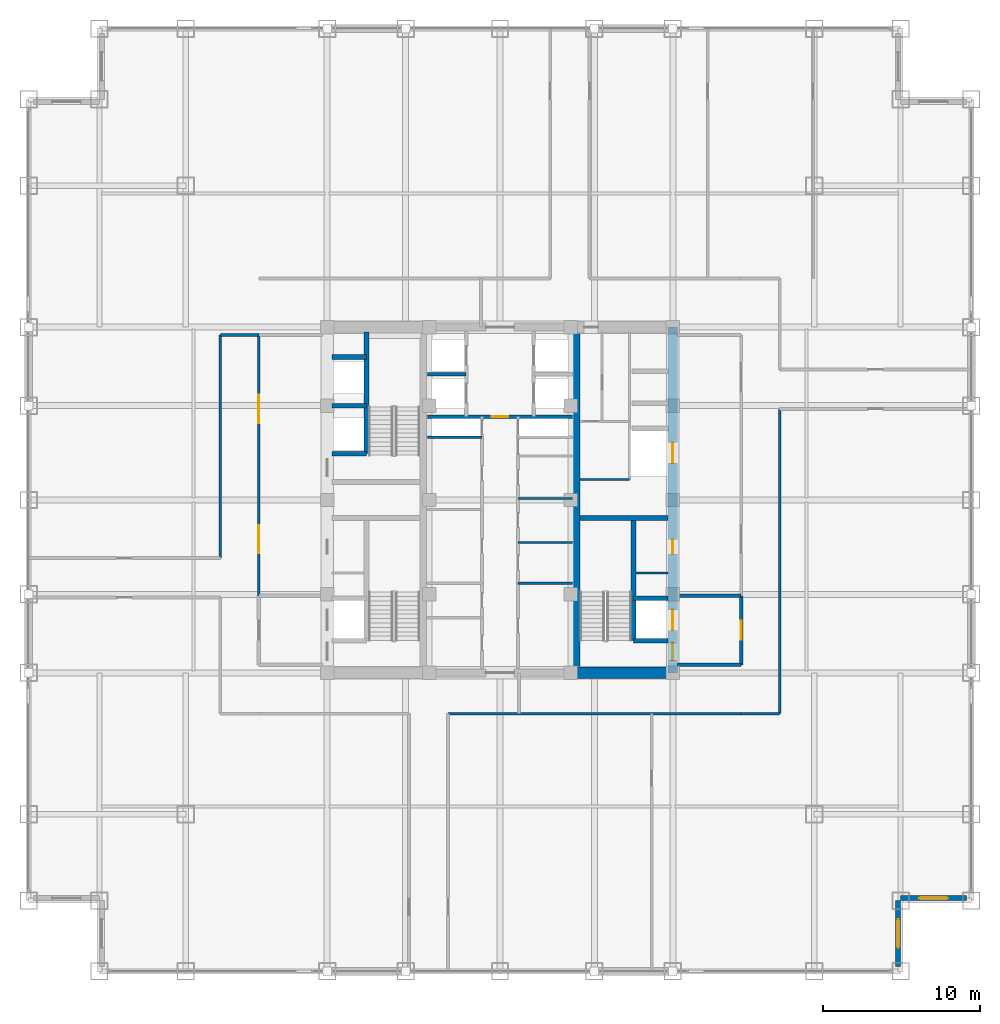
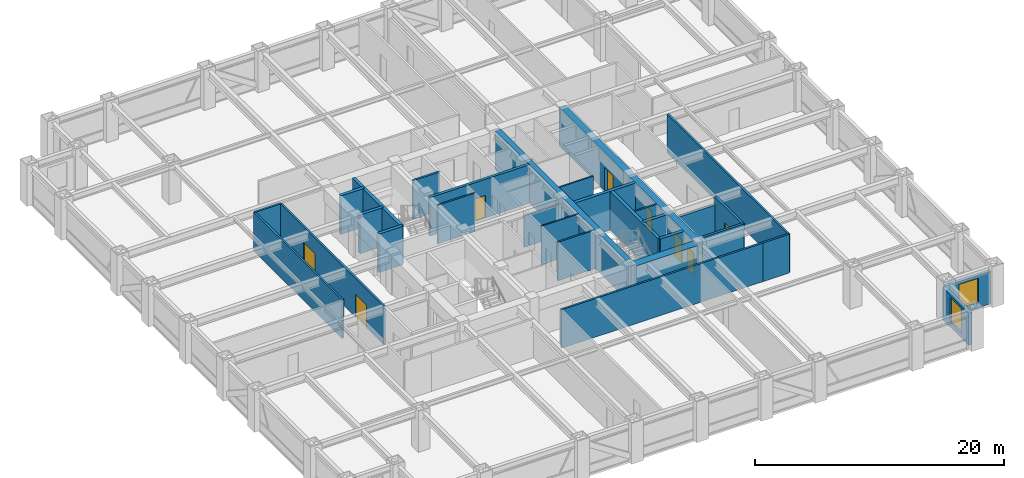
# One storey, part 21 of 24: 30 walls, 8 doors, 2 windows, 10 openings.
"""IFC4 building model written with IfcOpenShell, lengths in metres."""

from ifc_helpers import new_model, si_unit, direction, frame, frame_2d, origin, place, context, subcontext, project, spatial, rectangle, extrude, source, transform, mapped, material, layer, layer_set, type_object, element, fill, save


model = new_model("IFC4")

# Units and contexts
model_context = context("Model", 3, precision=1e-05, world=origin(), true_north=direction((0.0, 1.0)))
body_context = subcontext(model_context, "Body", "Model", "MODEL_VIEW")
ifc_project = project(units=[si_unit("LENGTHUNIT", "METRE"), si_unit("AREAUNIT", "SQUARE_METRE"), si_unit("VOLUMEUNIT", "CUBIC_METRE"), si_unit("PLANEANGLEUNIT", "RADIAN"), si_unit("MASSUNIT", "GRAM", prefix="KILO")], contexts=[model_context])

# Site, building, storey
site_placement = place(None, origin())
site = spatial("IfcSite", under=ifc_project, at=site_placement, CompositionType="ELEMENT")
building_placement = place(site_placement, origin())
building = spatial("IfcBuilding", under=site, at=building_placement, Name="Khorayat Bourse Tower", CompositionType="ELEMENT")
storey_placement = place(building_placement, frame((0.0, 0.0, 163.10009765625)))
storey = spatial("IfcBuildingStorey", under=building, at=storey_placement, Name="L37", CompositionType="ELEMENT", Elevation=163.10009765625)

# Wall, openings, doors
ifc_material_1 = material(Name="Concrete C60/75", Category="concrete")
ifc_layer_1 = layer(ifc_material_1, 0.60009765625)
ifc_layer_set_1 = layer_set([ifc_layer_1], Name="Concrete C60/75")
wall_type_1 = type_object("IfcWallType", Name="WAL-CORE-600", PredefinedType="SHEAR", material=ifc_layer_set_1)
shared_shape_1 = source(origin(), body_context, "Body", "SweptSolid", [
    extrude(rectangle(XDim=22.0, YDim=0.60009765625, at=frame_2d((11.0, 0.0))), origin(), (0.0, 0.0, 1.0), 3.77978515625),
])
wall_1_placement = place(storey_placement, frame((11.0, -11.0, 0.0), z_axis=(0.0, 0.0, 1.0), x_axis=(0.0, 1.0, 0.0)))
wall_1 = element("IfcWall", 1, at=wall_1_placement, inside=storey, type_object=wall_type_1, Name="L37 Core Shear Wall CORE-E", PredefinedType="SHEAR", context=body_context, shape_type="MappedRepresentation", body=[
    mapped(shared_shape_1, transform((0.0, 0.0, 0.0), scale=1.0)),
])
shared_shape_2 = source(origin(), body_context, "Body", "SweptSolid", [
    extrude(rectangle(XDim=1.10009765625, YDim=2.199951171875, at=frame_2d((0.550048828125, 1.10009765625))), frame((0.0, 0.31005859375, 0.0), z_axis=(0.0, -1.0, 0.0), x_axis=(1.0, 0.0, 0.0)), (0.0, 0.0, 1.0), 0.6201171875),
])
opening_1_placement = place(wall_1_placement, frame((0.800048828125, 0.0, 0.0)))
opening_1 = element("IfcOpeningElement", 2, at=opening_1_placement, cuts=wall_1, Name="Opening DI-01", PredefinedType="OPENING", context=body_context, shape_type="MappedRepresentation", body=[
    mapped(shared_shape_2, transform((0.0, 0.0, 0.0), scale=1.0)),
])
shared_shape_3 = source(origin(), body_context, "Body", "SweptSolid", [
    extrude(rectangle(XDim=0.89990234375, YDim=2.14990234375, at=frame_2d((0.449951171875, 1.074951171875))), frame((0.0, 0.31005859375, 0.0), z_axis=(0.0, -1.0, 0.0), x_axis=(1.0, 0.0, 0.0)), (0.0, 0.0, 1.0), 0.6201171875),
])
opening_2_placement = place(wall_1_placement, frame((7.574951171875, 0.0, 0.0)))
opening_2 = element("IfcOpeningElement", 3, at=opening_2_placement, cuts=wall_1, Name="Opening DI-06", PredefinedType="OPENING", context=body_context, shape_type="MappedRepresentation", body=[
    mapped(shared_shape_3, transform((0.0, 0.0, 0.0), scale=1.0)),
])
shared_shape_4 = source(origin(), body_context, "Body", "SweptSolid", [
    extrude(rectangle(XDim=1.300048828125, YDim=2.300048828125, at=frame_2d((0.64990234375, 1.14990234375))), frame((0.0, 0.31005859375, 0.0), z_axis=(0.0, -1.0, 0.0), x_axis=(1.0, 0.0, 0.0)), (0.0, 0.0, 1.0), 0.6201171875),
])
opening_3_placement = place(wall_1_placement, frame((2.699951171875, 0.0, 0.0)))
opening_3 = element("IfcOpeningElement", 4, at=opening_3_placement, cuts=wall_1, Name="Opening LD-02", PredefinedType="OPENING", context=body_context, shape_type="MappedRepresentation", body=[
    mapped(shared_shape_4, transform((0.0, 0.0, 0.0), scale=1.0)),
])
opening_4_placement = place(wall_1_placement, frame((13.35009765625, 0.0, 0.0)))
opening_4 = element("IfcOpeningElement", 5, at=opening_4_placement, cuts=wall_1, Name="Opening LD-02", PredefinedType="OPENING", context=body_context, shape_type="MappedRepresentation", body=[
    mapped(shared_shape_4, transform((0.0, 0.0, 0.0), scale=1.0)),
])
ifc_material_2 = material(Name="Fire-rated steel acoustic leaf", Category="steel")
door_type_1 = type_object("IfcDoorType", Name="DR-INT-STAIR-1100", OperationType="NOTDEFINED", PredefinedType="DOOR", material=ifc_material_2)
shared_shape_5 = source(origin(), body_context, "Body", "SweptSolid", [
    extrude(rectangle(XDim=1.10009765625, YDim=2.199951171875, at=frame_2d((0.550048828125, 1.10009765625))), frame((0.0, 0.02490234375, 0.0), z_axis=(0.0, -1.0, 0.0), x_axis=(1.0, 0.0, 0.0)), (0.0, 0.0, 1.0), 0.050048828125),
])
door_1_placement = place(opening_1_placement, origin())
door_1 = element("IfcDoor", 6, at=door_1_placement, inside=storey, type_object=door_type_1, Name="L37 Exit Stair 3 Door", OperationType="SINGLE_SWING_LEFT", OverallHeight=2.199951171875, OverallWidth=1.10009765625, PredefinedType="DOOR", context=body_context, shape_type="MappedRepresentation", body=[
    mapped(shared_shape_5, transform((0.0, 0.0, 0.0), scale=1.0)),
])
fill(opening_1, door_1)
ifc_material_3 = material(Name="Moisture-resistant laminate washroom door")
door_type_2 = type_object("IfcDoorType", Name="DR-INT-WC-900", OperationType="NOTDEFINED", PredefinedType="DOOR", material=ifc_material_3)
shared_shape_6 = source(origin(), body_context, "Body", "SweptSolid", [
    extrude(rectangle(XDim=0.89990234375, YDim=2.14990234375, at=frame_2d((0.449951171875, 1.074951171875))), frame((0.0, 0.02490234375, 0.0), z_axis=(0.0, -1.0, 0.0), x_axis=(1.0, 0.0, 0.0)), (0.0, 0.0, 1.0), 0.050048828125),
])
door_2_placement = place(opening_2_placement, origin())
door_2 = element("IfcDoor", 7, at=door_2_placement, inside=storey, type_object=door_type_2, Name="L37 Fiber Server Plant Room Door", OperationType="SINGLE_SWING_LEFT", OverallHeight=2.14990234375, OverallWidth=0.89990234375, PredefinedType="DOOR", context=body_context, shape_type="MappedRepresentation", body=[
    mapped(shared_shape_6, transform((0.0, 0.0, 0.0), scale=1.0)),
])
fill(opening_2, door_2)
ifc_material_4 = material(Name="Fire-rated stainless-steel sliding landing door", Category="steel")
door_type_3 = type_object("IfcDoorType", Name="DR-LIFT-FF-1300", OperationType="NOTDEFINED", PredefinedType="DOOR", material=ifc_material_4)
shared_shape_7 = source(origin(), body_context, "Body", "SweptSolid", [
    extrude(rectangle(XDim=1.300048828125, YDim=2.300048828125, at=frame_2d((0.64990234375, 1.14990234375))), frame((0.0, 0.02490234375, 0.0), z_axis=(0.0, -1.0, 0.0), x_axis=(1.0, 0.0, 0.0)), (0.0, 0.0, 1.0), 0.050048828125),
])
door_3_placement = place(opening_3_placement, origin())
door_3 = element("IfcDoor", 8, at=door_3_placement, inside=storey, type_object=door_type_3, Name="L37 Lift FFL-02 Sliding Landing Door", OperationType="SLIDING_TO_LEFT", OverallHeight=2.300048828125, OverallWidth=1.300048828125, PredefinedType="DOOR", context=body_context, shape_type="MappedRepresentation", body=[
    mapped(shared_shape_7, transform((0.0, 0.0, 0.0), scale=1.0)),
])
fill(opening_3, door_3)
door_4_placement = place(opening_4_placement, origin())
door_4 = element("IfcDoor", 9, at=door_4_placement, inside=storey, type_object=door_type_3, Name="L37 Lift SVL-01 Sliding Landing Door", OperationType="SLIDING_TO_LEFT", OverallHeight=2.300048828125, OverallWidth=1.300048828125, PredefinedType="DOOR", context=body_context, shape_type="MappedRepresentation", body=[
    mapped(shared_shape_7, transform((0.0, 0.0, 0.0), scale=1.0)),
])
fill(opening_4, door_4)

# Walls
ifc_material_5 = material(Name="Concrete C52/65", Category="concrete")
ifc_layer_2 = layer(ifc_material_5, 0.5)
ifc_layer_set_2 = layer_set([ifc_layer_2], Name="Concrete C52/65")
wall_type_2 = type_object("IfcWallType", Name="WAL-CORE-500", PredefinedType="SHEAR", material=ifc_layer_set_2)
shared_shape_8 = source(origin(), body_context, "Body", "SweptSolid", [
    extrude(rectangle(XDim=21.39990234375, YDim=0.5, at=frame_2d((10.699951171875, 0.0))), origin(), (0.0, 0.0, 1.0), 3.77978515625),
])
wall_2_placement = place(storey_placement, frame((4.85009765625, -10.699951171875, 0.0), z_axis=(0.0, 0.0, 1.0), x_axis=(0.0, 1.0, 0.0)))
element("IfcWall", 10, at=wall_2_placement, inside=storey, type_object=wall_type_2, Name="L37 Core Shear Wall PIER-E", PredefinedType="SHEAR", context=body_context, shape_type="MappedRepresentation", body=[
    mapped(shared_shape_8, transform((0.0, 0.0, 0.0), scale=1.0)),
])
ifc_material_6 = material(Name="Concrete C72/90", Category="concrete")
ifc_layer_3 = layer(ifc_material_6, 0.75)
ifc_layer_set_3 = layer_set([ifc_layer_3], Name="Concrete C72/90")
wall_type_3 = type_object("IfcWallType", Name="WAL-CORE-750", PredefinedType="SHEAR", material=ifc_layer_set_3)
shared_shape_9 = source(origin(), body_context, "Body", "SweptSolid", [
    extrude(rectangle(XDim=5.849853515625, YDim=0.75, at=frame_2d((2.9248046875, 0.0))), origin(), (0.0, 0.0, 1.0), 3.77978515625),
])
wall_3_placement = place(storey_placement, frame((4.85009765625, -11.0, 0.0), z_axis=(0.0, 0.0, 1.0), x_axis=(1.0, 0.0, 0.0)))
element("IfcWall", 11, at=wall_3_placement, inside=storey, type_object=wall_type_3, Name="L37 Core Shear Wall PIER-ES", PredefinedType="SHEAR", context=body_context, shape_type="MappedRepresentation", body=[
    mapped(shared_shape_9, transform((0.0, 0.0, 0.0), scale=1.0)),
])
ifc_material_7 = material(Name="Concrete C50/60", Category="concrete")
ifc_layer_4 = layer(ifc_material_7, 0.300048828125)
ifc_layer_set_4 = layer_set([ifc_layer_4], Name="Concrete C50/60")
wall_type_4 = type_object("IfcWallType", Name="WAL-SHAFT-300", PredefinedType="SHEAR", material=ifc_layer_set_4)
shared_shape_10 = source(origin(), body_context, "Body", "SweptSolid", [
    extrude(rectangle(XDim=5.599853515625, YDim=0.300048828125, at=frame_2d((2.7998046875, 0.0))), origin(), (0.0, 0.0, 1.0), 3.77978515625),
])
wall_4_placement = place(storey_placement, frame((5.10009765625, -1.14990234375, 0.0), z_axis=(0.0, 0.0, 1.0), x_axis=(1.0, 0.0, 0.0)))
element("IfcWall", 12, at=wall_4_placement, inside=storey, type_object=wall_type_4, Name="L37 Core Shear Wall ST3-DIV", PredefinedType="SHEAR", context=body_context, shape_type="MappedRepresentation", body=[
    mapped(shared_shape_10, transform((0.0, 0.0, 0.0), scale=1.0)),
])

# Wall, opening, window
ifc_material_8 = material(Name="Precast concrete C45/55", Category="concrete")
ifc_layer_5 = layer(ifc_material_8, 0.320068359375)
ifc_layer_set_5 = layer_set([ifc_layer_5], Name="Precast concrete C45/55")
wall_type_5 = type_object("IfcWallType", Name="WAL-EXT-STONE-320", PredefinedType="STANDARD", material=ifc_layer_set_5)
shared_shape_11 = source(origin(), body_context, "Body", "SweptSolid", [
    extrude(rectangle(XDim=4.179931640625, YDim=0.320068359375, at=frame_2d((2.08984375, 0.0))), origin(), (0.0, 0.0, 1.0), 3.163818359375),
])
wall_5_placement = place(storey_placement, frame((25.340087890625, -29.679931640625, 0.0), z_axis=(0.0, 0.0, 1.0), x_axis=(0.0, 1.0, 0.0)))
wall_5 = element("IfcWall", 13, at=wall_5_placement, inside=storey, type_object=wall_type_5, Name="L37 Re-Entrant Notch Limestone Wall SE-V", PredefinedType="STANDARD", context=body_context, shape_type="MappedRepresentation", body=[
    mapped(shared_shape_11, transform((0.0, 0.0, 0.0), scale=1.0)),
])
shared_shape_12 = source(origin(), body_context, "Body", "SweptSolid", [
    extrude(rectangle(XDim=1.800048828125, YDim=2.39990234375, at=frame_2d((0.89990234375, 1.199951171875))), frame((0.0, 0.169921875, 0.0), z_axis=(0.0, -1.0, 0.0), x_axis=(1.0, 0.0, 0.0)), (0.0, 0.0, 1.0), 0.340087890625),
])
opening_5_placement = place(wall_5_placement, frame((1.18994140625, 0.0, 0.5)))
opening_5 = element("IfcOpeningElement", 14, at=opening_5_placement, cuts=wall_5, Name="Opening WN-04", PredefinedType="OPENING", context=body_context, shape_type="MappedRepresentation", body=[
    mapped(shared_shape_12, transform((0.0, 0.0, 0.0), scale=1.0)),
])
ifc_material_9 = material(Name="Low-E acoustic laminated double glazing", Category="glass")
window_type = type_object("IfcWindowType", Name="WIN-NOTCH-1800x2400", PartitioningType="SINGLE_PANEL", PredefinedType="WINDOW", material=ifc_material_9)
shared_shape_13 = source(origin(), body_context, "Body", "SweptSolid", [
    extrude(rectangle(XDim=1.800048828125, YDim=2.39990234375, at=frame_2d((0.89990234375, 1.199951171875))), frame((0.0, 0.030029296875, 0.0), z_axis=(0.0, -1.0, 0.0), x_axis=(1.0, 0.0, 0.0)), (0.0, 0.0, 1.0), 0.06005859375),
])
window_1_placement = place(opening_5_placement, origin())
window_1 = element("IfcWindow", 15, at=window_1_placement, inside=storey, type_object=window_type, Name="L37 Facade Window 1", OverallHeight=2.39990234375, OverallWidth=1.800048828125, PartitioningType="SINGLE_PANEL", PredefinedType="WINDOW", context=body_context, shape_type="MappedRepresentation", body=[
    mapped(shared_shape_13, transform((0.0, 0.0, 0.0), scale=1.0)),
])
fill(opening_5, window_1)

wall_6_placement = place(storey_placement, frame((25.5, -25.340087890625, 0.0), z_axis=(0.0, 0.0, 1.0), x_axis=(1.0, 0.0, 0.0)))
wall_6 = element("IfcWall", 16, at=wall_6_placement, inside=storey, type_object=wall_type_5, Name="L37 Re-Entrant Notch Limestone Wall SE-H", PredefinedType="STANDARD", context=body_context, shape_type="MappedRepresentation", body=[
    mapped(shared_shape_11, transform((0.0, 0.0, 0.0), scale=1.0)),
])
opening_6_placement = place(wall_6_placement, frame((1.18994140625, 0.0, 0.5)))
opening_6 = element("IfcOpeningElement", 17, at=opening_6_placement, cuts=wall_6, Name="Opening WN-04", PredefinedType="OPENING", context=body_context, shape_type="MappedRepresentation", body=[
    mapped(shared_shape_12, transform((0.0, 0.0, 0.0), scale=1.0)),
])
window_2_placement = place(opening_6_placement, origin())
window_2 = element("IfcWindow", 18, at=window_2_placement, inside=storey, type_object=window_type, Name="L37 Facade Window 1", OverallHeight=2.39990234375, OverallWidth=1.800048828125, PartitioningType="SINGLE_PANEL", PredefinedType="WINDOW", context=body_context, shape_type="MappedRepresentation", body=[
    mapped(shared_shape_13, transform((0.0, 0.0, 0.0), scale=1.0)),
])
fill(opening_6, window_2)

# Walls
shared_shape_14 = source(origin(), body_context, "Body", "SweptSolid", [
    extrude(rectangle(XDim=7.800048828125, YDim=0.300048828125, at=frame_2d((3.89990234375, 0.0))), origin(), (0.0, 0.0, 1.0), 3.77978515625),
])
wall_7_placement = place(storey_placement, frame((8.5, -8.949951171875, 0.0), z_axis=(0.0, 0.0, 1.0), x_axis=(0.0, 1.0, 0.0)))
element("IfcWall", 19, at=wall_7_placement, inside=storey, type_object=wall_type_4, Name="L37 Partition WAL-L37-EPIER-SP", PredefinedType="SHEAR", context=body_context, shape_type="MappedRepresentation", body=[
    mapped(shared_shape_14, transform((0.0, 0.0, 0.0), scale=1.0)),
])
shared_shape_15 = source(origin(), body_context, "Body", "SweptSolid", [
    extrude(rectangle(XDim=2.199951171875, YDim=0.300048828125, at=frame_2d((1.10009765625, 0.0))), origin(), (0.0, 0.0, 1.0), 3.77978515625),
])
for number, where, z_axis, x_axis, name in (
    (20, (-10.699951171875, 2.949951171875, 0.0), (0.0, 0.0, 1.0), (1.0, 0.0, 0.0), "L37 Partition WAL-L37-WPIER-H1S"),
    (21, (-10.699951171875, 6.0, 0.0), (0.0, 0.0, 1.0), (1.0, 0.0, 0.0), "L37 Partition WAL-L37-WPIER-H12"),
    (22, (-10.699951171875, 9.10009765625, 0.0), (0.0, 0.0, 1.0), (1.0, 0.0, 0.0), "L37 Partition WAL-L37-WPIER-H2N"),
    (23, (8.5, -8.949951171875, 0.0), (0.0, 0.0, 1.0), (1.0, 0.0, 0.0), "L37 Partition WAL-L37-EPIER-FF2S"),
    (24, (8.5, -6.25, 0.0), (0.0, 0.0, 1.0), (1.0, 0.0, 0.0), "L37 Partition WAL-L37-EPIER-FF2N"),
):
    element("IfcWall", number, at=place(storey_placement, frame(where, z_axis=z_axis, x_axis=x_axis)), inside=storey, type_object=wall_type_4, Name=name, PredefinedType="SHEAR", context=body_context, shape_type="MappedRepresentation", body=[
        mapped(shared_shape_15, transform((0.0, 0.0, 0.0), scale=1.0)),
    ])
shared_shape_16 = source(origin(), body_context, "Body", "SweptSolid", [
    extrude(rectangle(XDim=7.75, YDim=0.300048828125, at=frame_2d((3.875, 0.0))), origin(), (0.0, 0.0, 1.0), 3.77978515625),
])
wall_8_placement = place(storey_placement, frame((-8.5, 2.949951171875, 0.0), z_axis=(0.0, 0.0, 1.0), x_axis=(0.0, 1.0, 0.0)))
element("IfcWall", 25, at=wall_8_placement, inside=storey, type_object=wall_type_4, Name="L37 Partition WAL-L37-WPIER-ST2S", PredefinedType="SHEAR", context=body_context, shape_type="MappedRepresentation", body=[
    mapped(shared_shape_16, transform((0.0, 0.0, 0.0), scale=1.0)),
])
ifc_material_10 = material(Name="Gypsum plasterboard twin-frame partition")
ifc_layer_6 = layer(ifc_material_10, 0.14990234375)
ifc_layer_set_6 = layer_set([ifc_layer_6], Name="Gypsum plasterboard twin-frame partition")
wall_type_6 = type_object("IfcWallType", Name="WAL-PART-SUITE-150", PredefinedType="PARTITIONING", material=ifc_layer_set_6)
shared_shape_17 = source(origin(), body_context, "Body", "SweptSolid", [
    extrude(rectangle(XDim=2.050048828125, YDim=0.14990234375, at=frame_2d((1.02490234375, 0.0))), origin(), (0.0, 0.0, 1.0), 3.77978515625),
])
wall_9_placement = place(storey_placement, frame((8.64990234375, -4.64990234375, 0.0), z_axis=(0.0, 0.0, 1.0), x_axis=(1.0, 0.0, 0.0)))
element("IfcWall", 26, at=wall_9_placement, inside=storey, type_object=wall_type_6, Name="L37 Partition WAL-L37-ESRV-S0", PredefinedType="PARTITIONING", context=body_context, shape_type="MappedRepresentation", body=[
    mapped(shared_shape_17, transform((0.0, 0.0, 0.0), scale=1.0)),
])
ifc_material_11 = material(Name="Moisture-resistant masonry partition", Category="masonry")
ifc_layer_7 = layer(ifc_material_11, 0.139892578125)
ifc_layer_set_7 = layer_set([ifc_layer_7], Name="Moisture-resistant masonry partition")
wall_type_7 = type_object("IfcWallType", Name="WAL-PART-WET-140", PredefinedType="PARTITIONING", material=ifc_layer_set_7)
shared_shape_18 = source(origin(), body_context, "Body", "SweptSolid", [
    extrude(rectangle(XDim=3.14990234375, YDim=0.139892578125, at=frame_2d((1.574951171875, 0.0))), origin(), (0.0, 0.0, 1.0), 3.77978515625),
])
wall_10_placement = place(storey_placement, frame((5.10009765625, 1.300048828125, 0.0), z_axis=(0.0, 0.0, 1.0), x_axis=(1.0, 0.0, 0.0)))
element("IfcWall", 27, at=wall_10_placement, inside=storey, type_object=wall_type_7, Name="L37 Partition WAL-L37-ECORE-S", PredefinedType="PARTITIONING", context=body_context, shape_type="MappedRepresentation", body=[
    mapped(shared_shape_18, transform((0.0, 0.0, 0.0), scale=1.0)),
])
ifc_material_12 = material(Name="Aerated concrete blockwork", Category="masonry")
ifc_layer_8 = layer(ifc_material_12, 0.219970703125)
ifc_layer_set_8 = layer_set([ifc_layer_8], Name="Aerated concrete blockwork")
wall_type_8 = type_object("IfcWallType", Name="WAL-PART-FF-220", PredefinedType="PARTITIONING", material=ifc_layer_set_8)
shared_shape_19 = source(origin(), body_context, "Body", "SweptSolid", [
    extrude(rectangle(XDim=4.050048828125, YDim=0.219970703125, at=frame_2d((2.02490234375, 0.0))), origin(), (0.0, 0.0, 1.0), 3.77978515625),
])
wall_11_placement = place(storey_placement, frame((11.300048828125, -10.5, 0.0), z_axis=(0.0, 0.0, 1.0), x_axis=(1.0, 0.0, 0.0)))
element("IfcWall", 28, at=wall_11_placement, inside=storey, type_object=wall_type_8, Name="L37 Partition WAL-L37-FFLE-S", PredefinedType="PARTITIONING", context=body_context, shape_type="MappedRepresentation", body=[
    mapped(shared_shape_19, transform((0.0, 0.0, 0.0), scale=1.0)),
])
shared_shape_20 = source(origin(), body_context, "Body", "SweptSolid", [
    extrude(rectangle(XDim=4.050048828125, YDim=0.219970703125, at=frame_2d((2.02490234375, 0.0))), origin(), (0.0, 0.0, 1.0), 3.0068359375),
])
wall_12_placement = place(storey_placement, frame((11.300048828125, -6.10009765625, 0.0), z_axis=(0.0, 0.0, 1.0), x_axis=(1.0, 0.0, 0.0)))
element("IfcWall", 29, at=wall_12_placement, inside=storey, type_object=wall_type_8, Name="L37 Partition WAL-L37-FFLE-N", PredefinedType="PARTITIONING", context=body_context, shape_type="MappedRepresentation", body=[
    mapped(shared_shape_20, transform((0.0, 0.0, 0.0), scale=1.0)),
])

# Wall, opening, door
shared_shape_21 = source(origin(), body_context, "Body", "SweptSolid", [
    extrude(rectangle(XDim=4.39990234375, YDim=0.219970703125, at=frame_2d((2.199951171875, 0.0))), origin(), (0.0, 0.0, 1.0), 3.77978515625),
])
wall_13_placement = place(storey_placement, frame((15.35009765625, -10.5, 0.0), z_axis=(0.0, 0.0, 1.0), x_axis=(0.0, 1.0, 0.0)))
wall_13 = element("IfcWall", 30, at=wall_13_placement, inside=storey, type_object=wall_type_8, Name="L37 Partition WAL-L37-FFLE-E", PredefinedType="PARTITIONING", context=body_context, shape_type="MappedRepresentation", body=[
    mapped(shared_shape_21, transform((0.0, 0.0, 0.0), scale=1.0)),
])
shared_shape_22 = source(origin(), body_context, "Body", "SweptSolid", [
    extrude(rectangle(XDim=1.199951171875, YDim=2.199951171875, at=frame_2d((0.60009765625, 1.10009765625))), frame((0.0, 0.119873046875, 0.0), z_axis=(0.0, -1.0, 0.0), x_axis=(1.0, 0.0, 0.0)), (0.0, 0.0, 1.0), 0.239990234375),
])
opening_7_placement = place(wall_13_placement, frame((1.60009765625, 0.0, 0.0)))
opening_7 = element("IfcOpeningElement", 31, at=opening_7_placement, cuts=wall_13, Name="Opening DI-02", PredefinedType="OPENING", context=body_context, shape_type="MappedRepresentation", body=[
    mapped(shared_shape_22, transform((0.0, 0.0, 0.0), scale=1.0)),
])
ifc_material_13 = material(Name="Fire-rated steel double-seal leaf", Category="steel")
door_type_4 = type_object("IfcDoorType", Name="DR-INT-FFLOBBY-1200", OperationType="NOTDEFINED", PredefinedType="DOOR", material=ifc_material_13)
shared_shape_23 = source(origin(), body_context, "Body", "SweptSolid", [
    extrude(rectangle(XDim=1.199951171875, YDim=2.199951171875, at=frame_2d((0.60009765625, 1.10009765625))), frame((0.0, 0.02490234375, 0.0), z_axis=(0.0, -1.0, 0.0), x_axis=(1.0, 0.0, 0.0)), (0.0, 0.0, 1.0), 0.050048828125),
])
door_5_placement = place(opening_7_placement, origin())
door_5 = element("IfcDoor", 32, at=door_5_placement, inside=storey, type_object=door_type_4, Name="L37 East Firefighting Lobby Door", OperationType="SINGLE_SWING_RIGHT", OverallHeight=2.199951171875, OverallWidth=1.199951171875, PredefinedType="DOOR", context=body_context, shape_type="MappedRepresentation", body=[
    mapped(shared_shape_23, transform((0.0, 0.0, 0.0), scale=1.0)),
])
fill(opening_7, door_5)

# Wall, openings, doors
ifc_material_14 = material(Name="Gypsum plasterboard acoustic stud wall")
ifc_layer_9 = layer(ifc_material_14, 0.179931640625)
ifc_layer_set_9 = layer_set([ifc_layer_9], Name="Gypsum plasterboard acoustic stud wall")
wall_type_9 = type_object("IfcWallType", Name="WAL-PART-CORR-180", PredefinedType="PARTITIONING", material=ifc_layer_set_9)
shared_shape_24 = source(origin(), body_context, "Body", "SweptSolid", [
    extrude(rectangle(XDim=16.60009765625, YDim=0.179931640625, at=frame_2d((8.300048828125, 0.0))), origin(), (0.0, 0.0, 1.0), 3.77978515625),
])
wall_14_placement = place(storey_placement, frame((-15.35009765625, -6.10009765625, 0.0), z_axis=(0.0, 0.0, 1.0), x_axis=(0.0, 1.0, 0.0)))
wall_14 = element("IfcWall", 33, at=wall_14_placement, inside=storey, type_object=wall_type_9, Name="L37 Partition WAL-L37-WLOB-W", PredefinedType="PARTITIONING", context=body_context, shape_type="MappedRepresentation", body=[
    mapped(shared_shape_24, transform((0.0, 0.0, 0.0), scale=1.0)),
])
shared_shape_25 = source(origin(), body_context, "Body", "SweptSolid", [
    extrude(rectangle(XDim=1.800048828125, YDim=2.25, at=frame_2d((0.89990234375, 1.125))), frame((0.0, 0.099853515625, 0.0), z_axis=(0.0, -1.0, 0.0), x_axis=(1.0, 0.0, 0.0)), (0.0, 0.0, 1.0), 0.199951171875),
])
opening_8_placement = place(wall_14_placement, frame((2.699951171875, 0.0, 0.0)))
opening_8 = element("IfcOpeningElement", 34, at=opening_8_placement, cuts=wall_14, Name="Opening DI-03", PredefinedType="OPENING", context=body_context, shape_type="MappedRepresentation", body=[
    mapped(shared_shape_25, transform((0.0, 0.0, 0.0), scale=1.0)),
])
opening_9_placement = place(wall_14_placement, frame((11.0, 0.0, 0.0)))
opening_9 = element("IfcOpeningElement", 35, at=opening_9_placement, cuts=wall_14, Name="Opening DI-03", PredefinedType="OPENING", context=body_context, shape_type="MappedRepresentation", body=[
    mapped(shared_shape_25, transform((0.0, 0.0, 0.0), scale=1.0)),
])
ifc_material_15 = material(Name="Fire-rated hardwood vision-panel double leaf", Category="wood")
door_type_5 = type_object("IfcDoorType", Name="DR-INT-CORR-1800", OperationType="NOTDEFINED", PredefinedType="DOOR", material=ifc_material_15)
shared_shape_26 = source(origin(), body_context, "Body", "SweptSolid", [
    extrude(rectangle(XDim=1.800048828125, YDim=2.25, at=frame_2d((0.89990234375, 1.125))), frame((0.0, 0.02490234375, 0.0), z_axis=(0.0, -1.0, 0.0), x_axis=(1.0, 0.0, 0.0)), (0.0, 0.0, 1.0), 0.050048828125),
])
door_6_placement = place(opening_8_placement, origin())
door_6 = element("IfcDoor", 36, at=door_6_placement, inside=storey, type_object=door_type_5, Name="L37 West Core Lobby South Door", OperationType="SINGLE_SWING_LEFT", OverallHeight=2.25, OverallWidth=1.800048828125, PredefinedType="DOOR", context=body_context, shape_type="MappedRepresentation", body=[
    mapped(shared_shape_26, transform((0.0, 0.0, 0.0), scale=1.0)),
])
fill(opening_8, door_6)
door_7_placement = place(opening_9_placement, origin())
door_7 = element("IfcDoor", 37, at=door_7_placement, inside=storey, type_object=door_type_5, Name="L37 West Core Lobby North Door", OperationType="SINGLE_SWING_RIGHT", OverallHeight=2.25, OverallWidth=1.800048828125, PredefinedType="DOOR", context=body_context, shape_type="MappedRepresentation", body=[
    mapped(shared_shape_26, transform((0.0, 0.0, 0.0), scale=1.0)),
])
fill(opening_9, door_7)

# Walls
shared_shape_27 = source(origin(), body_context, "Body", "SweptSolid", [
    extrude(rectangle(XDim=3.4501953125, YDim=0.14990234375, at=frame_2d((1.72509765625, 0.0))), origin(), (0.0, 0.0, 1.0), 3.77978515625),
])
for number, where, z_axis, x_axis, name in (
    (38, (-4.60009765625, 4.0, 0.0), (0.0, 0.0, 1.0), (1.0, 0.0, 0.0), "L37 Partition WAL-L37-CRSW-S"),
    (39, (1.14990234375, -5.300048828125, 0.0), (0.0, 0.0, 1.0), (1.0, 0.0, 0.0), "L37 Partition WAL-L37-FB1-NE"),
):
    element("IfcWall", number, at=place(storey_placement, frame(where, z_axis=z_axis, x_axis=x_axis)), inside=storey, type_object=wall_type_6, Name=name, PredefinedType="PARTITIONING", context=body_context, shape_type="MappedRepresentation", body=[
        mapped(shared_shape_27, transform((0.0, 0.0, 0.0), scale=1.0)),
    ])
shared_shape_28 = source(origin(), body_context, "Body", "SweptSolid", [
    extrude(rectangle(XDim=3.4501953125, YDim=0.139892578125, at=frame_2d((1.72509765625, 0.0))), origin(), (0.0, 0.0, 1.0), 3.77978515625),
])
wall_15_placement = place(storey_placement, frame((1.14990234375, -2.699951171875, 0.0), z_axis=(0.0, 0.0, 1.0), x_axis=(1.0, 0.0, 0.0)))
element("IfcWall", 40, at=wall_15_placement, inside=storey, type_object=wall_type_7, Name="L37 Partition WAL-L37-CME-D1", PredefinedType="PARTITIONING", context=body_context, shape_type="MappedRepresentation", body=[
    mapped(shared_shape_28, transform((0.0, 0.0, 0.0), scale=1.0)),
])
shared_shape_29 = source(origin(), body_context, "Body", "SweptSolid", [
    extrude(rectangle(XDim=2.4501953125, YDim=0.199951171875, at=frame_2d((1.22509765625, 0.0))), origin(), (0.0, 0.0, 1.0), 3.77978515625),
])
wall_16_placement = place(storey_placement, frame((-4.60009765625, 8.0, 0.0), z_axis=(0.0, 0.0, 1.0), x_axis=(1.0, 0.0, 0.0)))
element("IfcWall", 41, at=wall_16_placement, inside=storey, type_object=wall_type_4, Name="L37 Partition WAL-L37-B2-MW", PredefinedType="SHEAR", context=body_context, shape_type="MappedRepresentation", body=[
    mapped(shared_shape_29, transform((0.0, 0.0, 0.0), scale=1.0)),
])

# Wall, opening, door
shared_shape_30 = source(origin(), body_context, "Body", "SweptSolid", [
    extrude(rectangle(XDim=9.2001953125, YDim=0.25, at=frame_2d((4.60009765625, 0.0))), origin(), (0.0, 0.0, 1.0), 3.77978515625),
])
wall_17_placement = place(storey_placement, frame((-4.60009765625, 5.300048828125, 0.0), z_axis=(0.0, 0.0, 1.0), x_axis=(1.0, 0.0, 0.0)))
wall_17 = element("IfcWall", 42, at=wall_17_placement, inside=storey, type_object=wall_type_4, Name="L37 Partition WAL-L37-B2-S", PredefinedType="SHEAR", context=body_context, shape_type="MappedRepresentation", body=[
    mapped(shared_shape_30, transform((0.0, 0.0, 0.0), scale=1.0)),
])
shared_shape_31 = source(origin(), body_context, "Body", "SweptSolid", [
    extrude(rectangle(XDim=1.050048828125, YDim=2.199951171875, at=frame_2d((0.52490234375, 1.10009765625))), frame((0.0, 0.135009765625, 0.0), z_axis=(0.0, -1.0, 0.0), x_axis=(1.0, 0.0, 0.0)), (0.0, 0.0, 1.0), 0.27001953125),
])
opening_10_placement = place(wall_17_placement, frame((4.074951171875, 0.0, 0.0)))
opening_10 = element("IfcOpeningElement", 43, at=opening_10_placement, cuts=wall_17, Name="Opening DI-04", PredefinedType="OPENING", context=body_context, shape_type="MappedRepresentation", body=[
    mapped(shared_shape_31, transform((0.0, 0.0, 0.0), scale=1.0)),
])
ifc_material_16 = material(Name="Fire-rated oak veneer suite entrance door")
door_type_6 = type_object("IfcDoorType", Name="DR-INT-SUITE-1050", OperationType="NOTDEFINED", PredefinedType="DOOR", material=ifc_material_16)
shared_shape_32 = source(origin(), body_context, "Body", "SweptSolid", [
    extrude(rectangle(XDim=1.050048828125, YDim=2.199951171875, at=frame_2d((0.52490234375, 1.10009765625))), frame((0.0, 0.02490234375, 0.0), z_axis=(0.0, -1.0, 0.0), x_axis=(1.0, 0.0, 0.0)), (0.0, 0.0, 1.0), 0.050048828125),
])
door_8_placement = place(opening_10_placement, origin())
door_8 = element("IfcDoor", 44, at=door_8_placement, inside=storey, type_object=door_type_6, Name="L37 Core Spine North Door", OperationType="SINGLE_SWING_RIGHT", OverallHeight=2.199951171875, OverallWidth=1.050048828125, PredefinedType="DOOR", context=body_context, shape_type="MappedRepresentation", body=[
    mapped(shared_shape_32, transform((0.0, 0.0, 0.0), scale=1.0)),
])
fill(opening_10, door_8)

# Walls
shared_shape_33 = source(origin(), body_context, "Body", "SweptSolid", [
    extrude(rectangle(XDim=3.4501953125, YDim=0.139892578125, at=frame_2d((1.72509765625, 0.0))), origin(), (0.0, 0.0, 1.0), 3.0849609375),
])
wall_18_placement = place(storey_placement, frame((1.14990234375, 0.10009765625, 0.0), z_axis=(0.0, 0.0, 1.0), x_axis=(1.0, 0.0, 0.0)))
element("IfcWall", 45, at=wall_18_placement, inside=storey, type_object=wall_type_7, Name="L37 Partition WAL-L37-CME-D2", PredefinedType="PARTITIONING", context=body_context, shape_type="MappedRepresentation", body=[
    mapped(shared_shape_33, transform((0.0, 0.0, 0.0), scale=1.0)),
])
shared_shape_34 = source(origin(), body_context, "Body", "SweptSolid", [
    extrude(rectangle(XDim=2.449951171875, YDim=0.179931640625, at=frame_2d((1.22509765625, 0.0))), origin(), (0.0, 0.0, 1.0), 3.77978515625),
])
for number, where, z_axis, x_axis, name in (
    (46, (-17.800048828125, 10.5, 0.0), (0.0, 0.0, 1.0), (1.0, 0.0, 0.0), "L37 Partition WAL-L37-C2-WN"),
    (47, (15.35009765625, -13.60009765625, 0.0), (0.0, 0.0, 1.0), (1.0, 0.0, 0.0), "L37 Partition WAL-L37-C2-ES"),
):
    element("IfcWall", number, at=place(storey_placement, frame(where, z_axis=z_axis, x_axis=x_axis)), inside=storey, type_object=wall_type_9, Name=name, PredefinedType="PARTITIONING", context=body_context, shape_type="MappedRepresentation", body=[
        mapped(shared_shape_34, transform((0.0, 0.0, 0.0), scale=1.0)),
    ])
shared_shape_35 = source(origin(), body_context, "Body", "SweptSolid", [
    extrude(rectangle(XDim=18.650146484375, YDim=0.179931640625, at=frame_2d((9.3251953125, 0.0))), origin(), (0.0, 0.0, 1.0), 3.77978515625),
])
wall_19_placement = place(storey_placement, frame((-3.300048828125, -13.60009765625, 0.0), z_axis=(0.0, 0.0, 1.0), x_axis=(1.0, 0.0, 0.0)))
element("IfcWall", 48, at=wall_19_placement, inside=storey, type_object=wall_type_9, Name="L37 Partition WAL-L37-QSE-HC", PredefinedType="PARTITIONING", context=body_context, shape_type="MappedRepresentation", body=[
    mapped(shared_shape_35, transform((0.0, 0.0, 0.0), scale=1.0)),
])
shared_shape_36 = source(origin(), body_context, "Body", "SweptSolid", [
    extrude(rectangle(XDim=14.199951171875, YDim=0.179931640625, at=frame_2d((7.10009765625, 0.0))), origin(), (0.0, 0.0, 1.0), 3.77978515625),
])
wall_20_placement = place(storey_placement, frame((-17.800048828125, -3.699951171875, 0.0), z_axis=(0.0, 0.0, 1.0), x_axis=(0.0, 1.0, 0.0)))
element("IfcWall", 49, at=wall_20_placement, inside=storey, type_object=wall_type_9, Name="L37 Partition WAL-L37-WN-IN", PredefinedType="PARTITIONING", context=body_context, shape_type="MappedRepresentation", body=[
    mapped(shared_shape_36, transform((0.0, 0.0, 0.0), scale=1.0)),
])
shared_shape_37 = source(origin(), body_context, "Body", "SweptSolid", [
    extrude(rectangle(XDim=19.400146484375, YDim=0.179931640625, at=frame_2d((9.7001953125, 0.0))), origin(), (0.0, 0.0, 1.0), 3.77978515625),
])
wall_21_placement = place(storey_placement, frame((17.800048828125, -13.60009765625, 0.0), z_axis=(0.0, 0.0, 1.0), x_axis=(0.0, 1.0, 0.0)))
element("IfcWall", 50, at=wall_21_placement, inside=storey, type_object=wall_type_9, Name="L37 Partition WAL-L37-ES-IN", PredefinedType="PARTITIONING", context=body_context, shape_type="MappedRepresentation", body=[
    mapped(shared_shape_37, transform((0.0, 0.0, 0.0), scale=1.0)),
])

save(model, "model.ifc")
